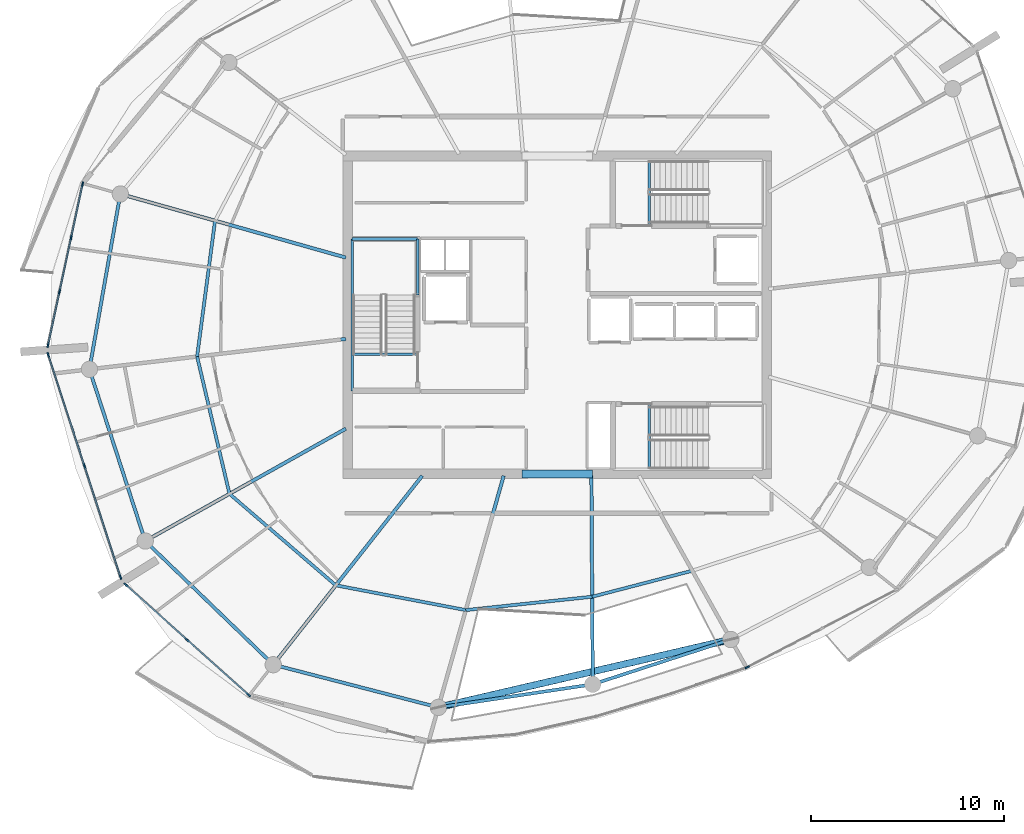
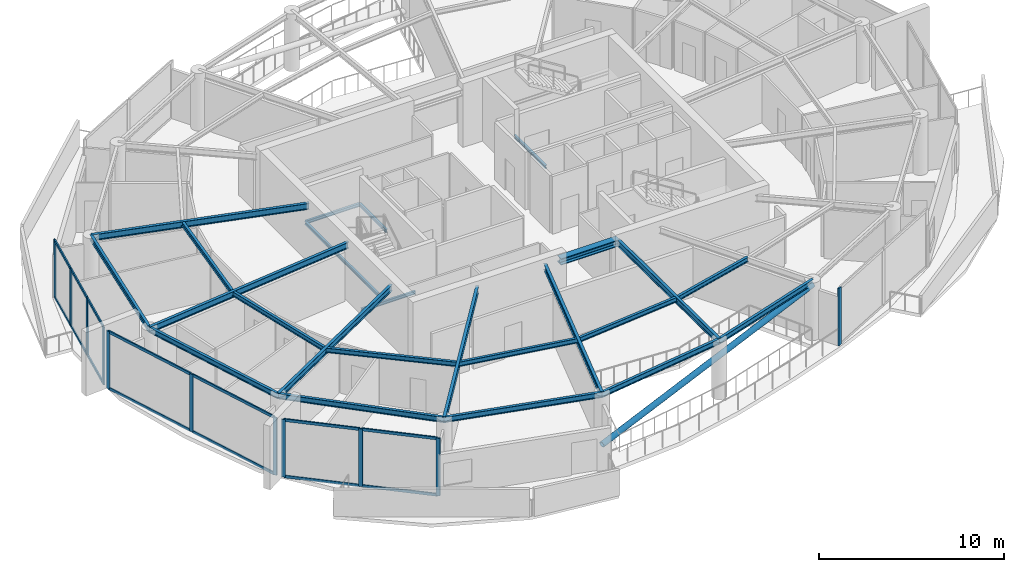
# One storey, part 5 of 21: 26 members, 25 beams, 4 elements without a shape of their own.
"""IFC4 building model written with IfcOpenShell, lengths in metres."""

import ifcopenshell
import ifcopenshell.guid

model = None  # the IFC model being written
_history = None  # IfcOwnerHistory: only IFC2X3 demands one
_inside = {}  # id of a spatial element -> (the spatial element, [elements in it])
_under = {}  # id of a project, library or spatial element -> (it, [spatial elements below it])
_declared = {}  # id of a project -> (the project, [libraries it declares])
_typed = {}  # id of a type object -> (the type object, [elements of that type])
_made_of = {}  # id of a material, layer set ... -> (it, [elements and type objects made of it])


def new_model(schema):
    """Start an empty IFC model of exactly this schema.

    Asked for "IFC4X3", IfcOpenShell would pick the latest addendum, in which some entities
    have other attributes; the version numbers below select the first issue.
    IFC2X3 requires an IfcOwnerHistory on every rooted entity: one is made here for all.
    """
    global model, _history
    if schema == "IFC4X3":
        model = ifcopenshell.file(schema_version=(4, 3, 0, 0))
    else:
        model = ifcopenshell.file(schema=schema)
    _inside.clear()
    _under.clear()
    _declared.clear()
    _typed.clear()
    _made_of.clear()
    _history = None
    if model.schema == "IFC2X3":
        org = make("IfcOrganization", Name="unknown")
        user = make(
            "IfcPersonAndOrganization",
            ThePerson=make("IfcPerson", FamilyName="unknown"),
            TheOrganization=org,
        )
        app = make(
            "IfcApplication",
            ApplicationDeveloper=org,
            Version="unknown",
            ApplicationFullName="unknown",
            ApplicationIdentifier="unknown",
        )
        _history = make(
            "IfcOwnerHistory",
            OwningUser=user,
            OwningApplication=app,
            ChangeAction="ADDED",
            CreationDate=0,
        )
    return model


def make(cls, **values):
    """One entity of the class cls with the attributes given. An attribute that is None is left unset."""
    return model.create_entity(
        cls, **{name: value for name, value in values.items() if value is not None}
    )


def rooted(cls, **values):
    """An entity with a GlobalId (a new one), such as an element, a storey or a relation."""
    return make(cls, GlobalId=ifcopenshell.guid.new(), OwnerHistory=_history, **values)


def si_unit(unit_type, name, prefix=None):
    """IfcSIUnit, for example si_unit("LENGTHUNIT", "METRE", prefix="MILLI")."""
    return make("IfcSIUnit", UnitType=unit_type, Prefix=prefix, Name=name)


def assignment(units):
    """IfcUnitAssignment: the units of a project."""
    return None if units is None else make("IfcUnitAssignment", Units=units)


def point(xyz):
    """IfcCartesianPoint."""
    return None if xyz is None else make("IfcCartesianPoint", Coordinates=xyz)


def direction(xyz):
    """IfcDirection."""
    return None if xyz is None else make("IfcDirection", DirectionRatios=xyz)


def frame(location, z_axis=None, x_axis=None):
    """IfcAxis2Placement3D, a coordinate frame: its origin and axes. An axis left out is left unset."""
    return make(
        "IfcAxis2Placement3D",
        Location=point(location),
        Axis=direction(z_axis),
        RefDirection=direction(x_axis),
    )


def frame_2d(location, x_axis=None):
    """IfcAxis2Placement2D, a coordinate frame in the plane: its origin and x axis."""
    return make(
        "IfcAxis2Placement2D", Location=point(location), RefDirection=direction(x_axis)
    )


def origin():
    """The frame at (0, 0, 0) with its axes left unset."""
    return frame((0.0, 0.0, 0.0))


def origin_2d():
    """The frame at (0, 0) in the plane with its x axis left unset."""
    return frame_2d((0.0, 0.0))


def place(relative_to, where):
    """IfcLocalPlacement: puts the frame where relative to a parent placement (None: the world)."""
    return make(
        "IfcLocalPlacement", PlacementRelTo=relative_to, RelativePlacement=where
    )


def context(
    kind, dimensions, precision=None, world=None, true_north=None, identifier=None
):
    """IfcGeometricRepresentationContext, for example the 3D "Model" context."""
    return make(
        "IfcGeometricRepresentationContext",
        ContextIdentifier=identifier,
        ContextType=kind,
        CoordinateSpaceDimension=dimensions,
        Precision=precision,
        WorldCoordinateSystem=world,
        TrueNorth=true_north,
    )


def subcontext(parent, identifier, kind, view, scale=None):
    """IfcGeometricRepresentationSubContext, for example "Body" below "Model"."""
    return make(
        "IfcGeometricRepresentationSubContext",
        ContextIdentifier=identifier,
        ContextType=kind,
        ParentContext=parent,
        TargetScale=scale,
        TargetView=view,
    )


def project(units=None, contexts=None):
    """IfcProject with its units and contexts."""
    return rooted(
        "IfcProject",
        Name="project",
        RepresentationContexts=contexts,
        UnitsInContext=assignment(units),
    )


def spatial(cls, under=None, at=None, **own):
    """A site, building, storey or space (cls), placed at a placement, below another one or the project."""
    s = rooted(cls, ObjectPlacement=at, **own)
    if under is not None:
        _under.setdefault(under.id(), (under, []))[1].append(s)
    return s


def profile(cls, at=None, kind="AREA", **sizes):
    """A parametric profile (cls). Its sizes go by their IFC names, for example OverallWidth=200.0."""
    return make(cls, ProfileType=kind, Position=at, **sizes)


def rectangle(**sizes):
    """IfcRectangleProfileDef."""
    return profile("IfcRectangleProfileDef", **sizes)


def hollow_circle(**sizes):
    """IfcCircleHollowProfileDef."""
    return profile("IfcCircleHollowProfileDef", **sizes)


def i_section(**sizes):
    """IfcIShapeProfileDef."""
    return profile("IfcIShapeProfileDef", **sizes)


def extrude(swept, where, along, depth):
    """IfcExtrudedAreaSolid: the profile swept, set in the frame where, extruded along a direction by depth."""
    return make(
        "IfcExtrudedAreaSolid",
        SweptArea=swept,
        Position=where,
        ExtrudedDirection=direction(along),
        Depth=depth,
    )


def shape(context_of_items, identifier, shape_type, items):
    """IfcShapeRepresentation: the items that make up one representation, for example the "Body"."""
    return make(
        "IfcShapeRepresentation",
        ContextOfItems=context_of_items,
        RepresentationIdentifier=identifier,
        RepresentationType=shape_type,
        Items=items,
    )


def material(Name=None, Category=None):
    """IfcMaterial."""
    return make("IfcMaterial", Name=Name, Category=Category)


def layer(
    of_material, thickness, ventilated=None, Name=None, Category=None, Priority=None
):
    """IfcMaterialLayer: one layer of a wall or slab, of a material (None: an air gap)."""
    return make(
        "IfcMaterialLayer",
        Material=of_material,
        LayerThickness=thickness,
        IsVentilated=ventilated,
        Name=Name,
        Category=Category,
        Priority=Priority,
    )


def layer_set(layers, Name=None):
    """IfcMaterialLayerSet."""
    return make("IfcMaterialLayerSet", MaterialLayers=layers, LayerSetName=Name)


def material_profile(
    of_material, cross_section, Name=None, Category=None, Priority=None
):
    """IfcMaterialProfile: a cross section and its material."""
    return make(
        "IfcMaterialProfile",
        Name=Name,
        Material=of_material,
        Profile=cross_section,
        Priority=Priority,
        Category=Category,
    )


def profile_set(profiles, Name=None, composite=None):
    """IfcMaterialProfileSet."""
    return make(
        "IfcMaterialProfileSet",
        Name=Name,
        MaterialProfiles=profiles,
        CompositeProfile=composite,
    )


def made_of(thing, what):
    """Note that an element or type object is made of a material, layer set ...; save() writes the relation."""
    if what is not None:
        _made_of.setdefault(what.id(), (what, []))[1].append(thing)
    return thing


def type_object(cls, material=None, **own):
    """A type object (cls), such as IfcWallType, which elements share."""
    return made_of(rooted(cls, **own), material)


def element(
    cls,
    number,
    at=None,
    inside=None,
    cuts=None,
    type_object=None,
    material=None,
    context=None,
    identifier="Body",
    shape_type=None,
    held_by="IfcProductDefinitionShape",
    body=None,
    shapes=None,
    **own,
):
    """One element of the class cls, such as IfcWall. Its Tag is "e" and its number.

    at: its placement. inside: the storey or other place that contains it. cuts: it is an
    opening in that element (IfcRelVoidsElement). A single representation is given by context,
    identifier, shape_type and body (its items); several are given by shapes. held_by: the class
    of the entity that holds the representations. save() writes the other relations.
    """
    e = rooted(cls, Tag="e%d" % number, ObjectPlacement=at, **own)
    if body is not None:
        shapes = [shape(context, identifier, shape_type, body)]
    if shapes is not None:
        e.Representation = make(held_by, Representations=shapes)
    if inside is not None:
        _inside.setdefault(inside.id(), (inside, []))[1].append(e)
    if cuts is not None:
        rooted(
            "IfcRelVoidsElement", RelatingBuildingElement=cuts, RelatedOpeningElement=e
        )
    if type_object is not None:
        _typed.setdefault(type_object.id(), (type_object, []))[1].append(e)
    return made_of(e, material)


def aggregate(whole, parts):
    """IfcRelAggregates: a whole, such as a stair, and the parts it consists of."""
    return rooted("IfcRelAggregates", RelatingObject=whole, RelatedObjects=parts)


def save(model, path):
    """Write the relations noted so far, then the file.

    IfcRelAggregates (storeys below a building ...), IfcRelContainedInSpatialStructure (elements
    in a storey), IfcRelDefinesByType, IfcRelAssociatesMaterial and IfcRelDeclares: one each for
    every whole, place, type object, material and project.
    """
    for whole, parts in _under.values():
        aggregate(whole, parts)
    for where, things in _inside.values():
        rooted(
            "IfcRelContainedInSpatialStructure",
            RelatedElements=things,
            RelatingStructure=where,
        )
    for kind, things in _typed.values():
        rooted("IfcRelDefinesByType", RelatedObjects=things, RelatingType=kind)
    for what, things in _made_of.values():
        rooted("IfcRelAssociatesMaterial", RelatedObjects=things, RelatingMaterial=what)
    for by, libraries in _declared.values():
        rooted("IfcRelDeclares", RelatingContext=by, RelatedDefinitions=libraries)
    model.write(path)


model = new_model("IFC4")

# Units and contexts
model_context = context("Model", 3, precision=1e-05, world=origin(), true_north=direction((0.0, 1.0)))
body_context = subcontext(model_context, "Body", "Model", "MODEL_VIEW")
ifc_project = project(units=[si_unit("LENGTHUNIT", "METRE"), si_unit("AREAUNIT", "SQUARE_METRE"), si_unit("VOLUMEUNIT", "CUBIC_METRE"), si_unit("PLANEANGLEUNIT", "RADIAN"), si_unit("MASSUNIT", "GRAM", prefix="KILO")], contexts=[model_context])

# Site, building, storey
site_placement = place(None, origin())
site = spatial("IfcSite", under=ifc_project, at=site_placement, CompositionType="ELEMENT")
building_placement = place(site_placement, origin())
building = spatial("IfcBuilding", under=site, at=building_placement, Name="Kazma Halo Residences", CompositionType="ELEMENT")
storey_placement = place(building_placement, frame((0.0, 0.0, 338.89990234375)))
storey = spatial("IfcBuildingStorey", under=building, at=storey_placement, Name="L85", CompositionType="ELEMENT", Elevation=338.89990234375)

# Beams
ifc_material_1 = material(Name="Steel S355", Category="steel")
ifc_material_profile_1 = material_profile(ifc_material_1, i_section(OverallWidth=0.408935546875, OverallDepth=0.425048828125, WebThickness=0.03271484375, FlangeThickness=0.052490234375, FilletRadius=0.02001953125, at=origin_2d()), Name="W360x421")
ifc_profile_set_1 = profile_set([ifc_material_profile_1], Name="Steel S355")
beam_type_1 = type_object("IfcBeamType", Name="BM-CORE-W360H", PredefinedType="BEAM", material=ifc_profile_set_1)
beam_1_placement = place(storey_placement, frame((46.60009765625, 33.75, 3.587646484375), z_axis=(1.0, 0.0, 0.0), x_axis=(0.0, 1.0, 0.0)))
element("IfcBeam", 1, at=beam_1_placement, inside=storey, type_object=beam_type_1, Name="L85 core coupling beam S", PredefinedType="BEAM", context=body_context, shape_type="SweptSolid", body=[
    extrude(i_section(OverallWidth=0.408935546875, OverallDepth=0.425048828125, WebThickness=0.03271484375, FlangeThickness=0.052490234375, FilletRadius=0.02001953125, at=origin_2d()), origin(), (0.0, 0.0, 1.0), 3.64990234375),
])
ifc_material_profile_2 = material_profile(ifc_material_1, i_section(OverallWidth=0.177978515625, OverallDepth=0.406982421875, WebThickness=0.0078125, FlangeThickness=0.0126953125, FilletRadius=0.013916015625, at=origin_2d()), Name="W410x60")
ifc_profile_set_2 = profile_set([ifc_material_profile_2], Name="Steel S355")
beam_type_2 = type_object("IfcBeamType", Name="BM-RAD-W410", PredefinedType="BEAM", material=ifc_profile_set_2)
beam_2_placement = place(storey_placement, frame((37.449951171875, 44.975341796875, 3.5966796875), z_axis=(-0.962456130612, 0.2714372794, 0.0), x_axis=(-0.2714372794, -0.962456130612, 0.0)))
element("IfcBeam", 2, at=beam_2_placement, inside=storey, type_object=beam_type_2, Name="L85 radial floor beam 07", PredefinedType="BEAM", context=body_context, shape_type="SweptSolid", body=[
    extrude(i_section(OverallWidth=0.177978515625, OverallDepth=0.406982421875, WebThickness=0.0078125, FlangeThickness=0.0126953125, FilletRadius=0.013916015625, at=origin_2d()), origin(), (0.0, 0.0, 1.0), 12.162109375),
])
beam_3_placement = place(storey_placement, frame((37.449951171875, 40.751220703125, 3.5966796875), z_axis=(-0.993067923032, -0.11754190846, 0.0), x_axis=(0.11754190846, -0.993067923032, 0.0)))
element("IfcBeam", 3, at=beam_3_placement, inside=storey, type_object=beam_type_2, Name="L85 radial floor beam 08", PredefinedType="BEAM", context=body_context, shape_type="SweptSolid", body=[
    extrude(i_section(OverallWidth=0.177978515625, OverallDepth=0.406982421875, WebThickness=0.0078125, FlangeThickness=0.0126953125, FilletRadius=0.013916015625, at=origin_2d()), origin(), (0.0, 0.0, 1.0), 13.4033203125),
])
beam_4_placement = place(storey_placement, frame((37.449951171875, 36.091796875, 3.5966796875), z_axis=(-0.872494504737, -0.4886239241, 0.0), x_axis=(0.4886239241, -0.872494504737, 0.0)))
element("IfcBeam", 4, at=beam_4_placement, inside=storey, type_object=beam_type_2, Name="L85 radial floor beam 09", PredefinedType="BEAM", context=body_context, shape_type="SweptSolid", body=[
    extrude(i_section(OverallWidth=0.177978515625, OverallDepth=0.406982421875, WebThickness=0.0078125, FlangeThickness=0.0126953125, FilletRadius=0.013916015625, at=origin_2d()), origin(), (0.0, 0.0, 1.0), 11.93505859375),
])
beam_5_placement = place(storey_placement, frame((41.41748046875, 33.64990234375, 3.5966796875), z_axis=(-0.619111191023, -0.785303338303, 0.0), x_axis=(0.785303338303, -0.619111191023, 0.0)))
element("IfcBeam", 5, at=beam_5_placement, inside=storey, type_object=beam_type_2, Name="L85 radial floor beam 10", PredefinedType="BEAM", context=body_context, shape_type="SweptSolid", body=[
    extrude(i_section(OverallWidth=0.177978515625, OverallDepth=0.406982421875, WebThickness=0.0078125, FlangeThickness=0.0126953125, FilletRadius=0.013916015625, at=origin_2d()), origin(), (0.0, 0.0, 1.0), 12.4912109375),
])
beam_6_placement = place(storey_placement, frame((45.64501953125, 33.64990234375, 3.5966796875), z_axis=(-0.271426752139, -0.962459099507, 0.0), x_axis=(0.962459099507, -0.271426752139, 0.0)))
element("IfcBeam", 6, at=beam_6_placement, inside=storey, type_object=beam_type_2, Name="L85 radial floor beam 11", PredefinedType="BEAM", context=body_context, shape_type="SweptSolid", body=[
    extrude(i_section(OverallWidth=0.177978515625, OverallDepth=0.406982421875, WebThickness=0.0078125, FlangeThickness=0.0126953125, FilletRadius=0.013916015625, at=origin_2d()), origin(), (0.0, 0.0, 1.0), 12.495361328125),
])
beam_7_placement = place(storey_placement, frame((50.199951171875, 33.64990234375, 3.5966796875), z_axis=(0.006470240609, -0.999979067774, 0.0), x_axis=(0.999979067774, 0.006470240609, 0.0)))
element("IfcBeam", 7, at=beam_7_placement, inside=storey, type_object=beam_type_2, Name="L85 radial floor beam 12", PredefinedType="BEAM", context=body_context, shape_type="SweptSolid", body=[
    extrude(i_section(OverallWidth=0.177978515625, OverallDepth=0.406982421875, WebThickness=0.0078125, FlangeThickness=0.0126953125, FilletRadius=0.013916015625, at=origin_2d()), origin(), (0.0, 0.0, 1.0), 10.829345703125),
])
ifc_material_profile_3 = material_profile(ifc_material_1, i_section(OverallWidth=0.1650390625, OverallDepth=0.31005859375, WebThickness=0.005859375, FlangeThickness=0.009765625, FilletRadius=0.011962890625, at=origin_2d()), Name="W310x38.7")
ifc_profile_set_3 = profile_set([ifc_material_profile_3], Name="Steel S355")
beam_type_3 = type_object("IfcBeamType", Name="BM-SEC-W310B", PredefinedType="JOIST", material=ifc_profile_set_3)
beam_8_placement = place(storey_placement, frame((30.660888671875, 46.89013671875, 3.64501953125), z_axis=(-0.130861995554, -0.991400594169, 0.0), x_axis=(0.991400594169, -0.130861995554, 0.0)))
element("IfcBeam", 8, at=beam_8_placement, inside=storey, type_object=beam_type_3, Name="L85 circumferential floor joist 07", PredefinedType="JOIST", context=body_context, shape_type="SweptSolid", body=[
    extrude(i_section(OverallWidth=0.1650390625, OverallDepth=0.31005859375, WebThickness=0.005859375, FlangeThickness=0.009765625, FilletRadius=0.011962890625, at=origin_2d()), origin(), (0.0, 0.0, 1.0), 7.11376953125),
])
beam_9_placement = place(storey_placement, frame((29.72998046875, 39.837646484375, 3.64501953125), z_axis=(0.229446221817, -0.973321340203, 0.0), x_axis=(0.973321340203, 0.229446221817, 0.0)))
element("IfcBeam", 9, at=beam_9_placement, inside=storey, type_object=beam_type_3, Name="L85 circumferential floor joist 08", PredefinedType="JOIST", context=body_context, shape_type="SweptSolid", body=[
    extrude(i_section(OverallWidth=0.1650390625, OverallDepth=0.31005859375, WebThickness=0.005859375, FlangeThickness=0.009765625, FilletRadius=0.011962890625, at=origin_2d()), origin(), (0.0, 0.0, 1.0), 7.32373046875),
])
beam_10_placement = place(storey_placement, frame((31.410400390625, 32.709228515625, 3.64501953125), z_axis=(0.758178898759, -0.652046591492, 0.0), x_axis=(0.652046591492, 0.758178898759, 0.0)))
element("IfcBeam", 10, at=beam_10_placement, inside=storey, type_object=beam_type_3, Name="L85 circumferential floor joist 09", PredefinedType="JOIST", context=body_context, shape_type="SweptSolid", body=[
    extrude(i_section(OverallWidth=0.1650390625, OverallDepth=0.31005859375, WebThickness=0.005859375, FlangeThickness=0.009765625, FilletRadius=0.011962890625, at=origin_2d()), origin(), (0.0, 0.0, 1.0), 7.282958984375),
])
beam_11_placement = place(storey_placement, frame((36.93212890625, 27.96044921875, 3.64501953125), z_axis=(0.982319268566, -0.187213393228, 0.0), x_axis=(0.187213393228, 0.982319268566, 0.0)))
element("IfcBeam", 11, at=beam_11_placement, inside=storey, type_object=beam_type_3, Name="L85 circumferential floor joist 10", PredefinedType="JOIST", context=body_context, shape_type="SweptSolid", body=[
    extrude(i_section(OverallWidth=0.1650390625, OverallDepth=0.31005859375, WebThickness=0.005859375, FlangeThickness=0.009765625, FilletRadius=0.011962890625, at=origin_2d()), origin(), (0.0, 0.0, 1.0), 6.8671875),
])
beam_12_placement = place(storey_placement, frame((43.677978515625, 26.6748046875, 3.64501953125), z_axis=(0.994453231248, 0.105179707457, 0.0), x_axis=(-0.105179707457, 0.994453231248, 0.0)))
element("IfcBeam", 12, at=beam_12_placement, inside=storey, type_object=beam_type_3, Name="L85 circumferential floor joist 11", PredefinedType="JOIST", context=body_context, shape_type="SweptSolid", body=[
    extrude(i_section(OverallWidth=0.1650390625, OverallDepth=0.31005859375, WebThickness=0.005859375, FlangeThickness=0.009765625, FilletRadius=0.011962890625, at=origin_2d()), origin(), (0.0, 0.0, 1.0), 6.59912109375),
])
beam_13_placement = place(storey_placement, frame((50.240478515625, 27.368896484375, 3.64501953125), z_axis=(0.967848634623, 0.251533338661, 0.0), x_axis=(-0.251533338661, 0.967848634623, 0.0)))
element("IfcBeam", 13, at=beam_13_placement, inside=storey, type_object=beam_type_3, Name="L85 circumferential floor joist 12", PredefinedType="JOIST", context=body_context, shape_type="SweptSolid", body=[
    extrude(i_section(OverallWidth=0.1650390625, OverallDepth=0.31005859375, WebThickness=0.005859375, FlangeThickness=0.009765625, FilletRadius=0.011962890625, at=origin_2d()), origin(), (0.0, 0.0, 1.0), 5.369384765625),
])
ifc_material_profile_4 = material_profile(ifc_material_1, i_section(OverallWidth=0.1708984375, OverallDepth=0.35498046875, WebThickness=0.007080078125, FlangeThickness=0.01171875, FilletRadius=0.013916015625, at=origin_2d()), Name="W360x51")
ifc_profile_set_4 = profile_set([ifc_material_profile_4], Name="Steel S355")
beam_type_4 = type_object("IfcBeamType", Name="BM-SPN-W360", PredefinedType="BEAM", material=ifc_profile_set_4)
beam_14_placement = place(storey_placement, frame((25.744384765625, 48.276611328125, 3.62255859375), z_axis=(-0.173649692956, -0.984807485825, 0.0), x_axis=(0.984807485825, -0.173649692956, 0.0)))
element("IfcBeam", 14, at=beam_14_placement, inside=storey, type_object=beam_type_4, Name="L85 perimeter ring beam 07", PredefinedType="BEAM", context=body_context, shape_type="SweptSolid", body=[
    extrude(i_section(OverallWidth=0.1708984375, OverallDepth=0.35498046875, WebThickness=0.007080078125, FlangeThickness=0.01171875, FilletRadius=0.013916015625, at=origin_2d()), origin(), (0.0, 0.0, 1.0), 9.2412109375),
])
beam_15_placement = place(storey_placement, frame((24.1396484375, 39.17578125, 3.62255859375), z_axis=(0.309023062674, -0.951054544564, 0.0), x_axis=(0.951054544564, 0.309023062674, 0.0)))
element("IfcBeam", 15, at=beam_15_placement, inside=storey, type_object=beam_type_4, Name="L85 perimeter ring beam 08", PredefinedType="BEAM", context=body_context, shape_type="SweptSolid", body=[
    extrude(i_section(OverallWidth=0.1708984375, OverallDepth=0.35498046875, WebThickness=0.007080078125, FlangeThickness=0.01171875, FilletRadius=0.013916015625, at=origin_2d()), origin(), (0.0, 0.0, 1.0), 9.37451171875),
])
beam_16_placement = place(storey_placement, frame((27.03662109375, 30.260009765625, 3.62255859375), z_axis=(0.71933681628, -0.694661460529, 0.0), x_axis=(0.694661460529, 0.71933681628, 0.0)))
element("IfcBeam", 16, at=beam_16_placement, inside=storey, type_object=beam_type_4, Name="L85 perimeter ring beam 09", PredefinedType="BEAM", context=body_context, shape_type="SweptSolid", body=[
    extrude(i_section(OverallWidth=0.1708984375, OverallDepth=0.35498046875, WebThickness=0.007080078125, FlangeThickness=0.01171875, FilletRadius=0.013916015625, at=origin_2d()), origin(), (0.0, 0.0, 1.0), 9.2412109375),
])
beam_17_placement = place(storey_placement, frame((33.68408203125, 23.840576171875, 3.62255859375), z_axis=(0.968124082793, -0.250471076805, 0.0), x_axis=(0.250471076805, 0.968124082793, 0.0)))
element("IfcBeam", 17, at=beam_17_placement, inside=storey, type_object=beam_type_4, Name="L85 perimeter ring beam 10", PredefinedType="BEAM", context=body_context, shape_type="SweptSolid", body=[
    extrude(i_section(OverallWidth=0.1708984375, OverallDepth=0.35498046875, WebThickness=0.007080078125, FlangeThickness=0.01171875, FilletRadius=0.013916015625, at=origin_2d()), origin(), (0.0, 0.0, 1.0), 8.8515625),
])
beam_18_placement = place(storey_placement, frame((42.25341796875, 21.62353515625, 3.62255859375), z_axis=(0.989030710595, 0.147710031817, 0.0), x_axis=(-0.147710031817, 0.989030710595, 0.0)))
element("IfcBeam", 18, at=beam_18_placement, inside=storey, type_object=beam_type_4, Name="L85 perimeter ring beam 11", PredefinedType="BEAM", context=body_context, shape_type="SweptSolid", body=[
    extrude(i_section(OverallWidth=0.1708984375, OverallDepth=0.35498046875, WebThickness=0.007080078125, FlangeThickness=0.01171875, FilletRadius=0.013916015625, at=origin_2d()), origin(), (0.0, 0.0, 1.0), 8.10546875),
])
beam_19_placement = place(storey_placement, frame((50.27001953125, 22.82080078125, 3.62255859375), z_axis=(0.951056684666, 0.309016476183, 0.0), x_axis=(-0.309016476183, 0.951056684666, 0.0)))
element("IfcBeam", 19, at=beam_19_placement, inside=storey, type_object=beam_type_4, Name="L85 perimeter ring beam 12", PredefinedType="BEAM", context=body_context, shape_type="SweptSolid", body=[
    extrude(i_section(OverallWidth=0.1708984375, OverallDepth=0.35498046875, WebThickness=0.007080078125, FlangeThickness=0.01171875, FilletRadius=0.013916015625, at=origin_2d()), origin(), (0.0, 0.0, 1.0), 7.53564453125),
])
ifc_material_profile_5 = material_profile(ifc_material_1, i_section(OverallWidth=0.133056640625, OverallDepth=0.20703125, WebThickness=0.005859375, FlangeThickness=0.00830078125, FilletRadius=0.010009765625, at=origin_2d()), Name="W200x26.6")
ifc_profile_set_5 = profile_set([ifc_material_profile_5], Name="Steel S355")
beam_type_5 = type_object("IfcBeamType", Name="BM-TRIM-W200", PredefinedType="BEAM", material=ifc_profile_set_5)
for number, where, z_axis, x_axis, name in (
    (20, (37.800048828125, 39.949951171875, -0.369873046875), (1.0, 0.0, 0.0), (0.0, 1.0, 0.0), "L85 ST-01 floor landing support beam"),
    (21, (53.199951171875, 46.6201171875, -0.369873046875), (0.0, 1.0, 0.0), (-1.0, 0.0, 0.0), "L85 ST-02 floor landing support beam"),
    (22, (53.199951171875, 34.0, -0.369873046875), (0.0, 1.0, 0.0), (-1.0, 0.0, 0.0), "L85 ST-03 floor landing support beam"),
):
    element("IfcBeam", number, at=place(storey_placement, frame(where, z_axis=z_axis, x_axis=x_axis)), inside=storey, type_object=beam_type_5, Name=name, PredefinedType="BEAM", context=body_context, shape_type="SweptSolid", body=[
        extrude(i_section(OverallWidth=0.133056640625, OverallDepth=0.20703125, WebThickness=0.005859375, FlangeThickness=0.00830078125, FilletRadius=0.010009765625, at=origin_2d()), origin(), (0.0, 0.0, 1.0), 3.3798828125),
    ])
beam_20_placement = place(storey_placement, frame((37.780029296875, 38.06005859375, 1.795166015625), z_axis=(0.0, 1.0, 0.0), x_axis=(-1.0, 0.0, 0.0)))
element("IfcBeam", 23, at=beam_20_placement, inside=storey, type_object=beam_type_5, Name="L85 ST-01 landing west wall ledger", PredefinedType="BEAM", context=body_context, shape_type="SweptSolid", body=[
    extrude(i_section(OverallWidth=0.133056640625, OverallDepth=0.20703125, WebThickness=0.005859375, FlangeThickness=0.00830078125, FilletRadius=0.010009765625, at=origin_2d()), origin(), (0.0, 0.0, 1.0), 7.8798828125),
])
beam_21_placement = place(storey_placement, frame((41.179931640625, 43.030029296875, 1.795166015625), z_axis=(0.0, 1.0, 0.0), x_axis=(-1.0, 0.0, 0.0)))
element("IfcBeam", 24, at=beam_21_placement, inside=storey, type_object=beam_type_5, Name="L85 ST-01 landing east wall ledger", PredefinedType="BEAM", context=body_context, shape_type="SweptSolid", body=[
    extrude(i_section(OverallWidth=0.133056640625, OverallDepth=0.20703125, WebThickness=0.005859375, FlangeThickness=0.00830078125, FilletRadius=0.010009765625, at=origin_2d()), origin(), (0.0, 0.0, 1.0), 2.909912109375),
])
beam_22_placement = place(storey_placement, frame((37.780029296875, 45.93994140625, 1.795166015625), z_axis=(1.0, 0.0, 0.0), x_axis=(0.0, 1.0, 0.0)))
element("IfcBeam", 25, at=beam_22_placement, inside=storey, type_object=beam_type_5, Name="L85 ST-01 landing end wall ledger", PredefinedType="BEAM", context=body_context, shape_type="SweptSolid", body=[
    extrude(i_section(OverallWidth=0.133056640625, OverallDepth=0.20703125, WebThickness=0.005859375, FlangeThickness=0.00830078125, FilletRadius=0.010009765625, at=origin_2d()), origin(), (0.0, 0.0, 1.0), 3.39990234375),
])

# Curtain wall, members
ifc_material_2 = material(Name="Aluminium AW-6063 T6 and Triple-Silver Low-E Glass", Category="aluminium")
ifc_layer = layer(ifc_material_2, 0.239990234375)
ifc_layer_set = layer_set([ifc_layer], Name="Aluminium AW-6063 T6 and Triple-Silver Low-E Glass")
curtain_wall_type = type_object("IfcCurtainWallType", Name="CW-SYS-6", PredefinedType="NOTDEFINED", material=ifc_layer_set)
curtain_wall_1_placement = place(storey_placement, origin())
curtain_wall_1 = element("IfcCurtainWall", 26, at=curtain_wall_1_placement, inside=storey, type_object=curtain_wall_type, Name="L85 unitised curtain wall B07", PredefinedType="NOTDEFINED")
ifc_material_3 = material(Name="Aluminium AW-6063 T6", Category="aluminium")
ifc_material_profile_6 = material_profile(ifc_material_3, rectangle(XDim=0.080078125, YDim=0.239990234375, at=origin_2d()), Name="CWM-80x240")
ifc_profile_set_6 = profile_set([ifc_material_profile_6], Name="Aluminium AW-6063 T6")
member_type_1 = type_object("IfcMemberType", Name="CW-SYS-6-MUL", PredefinedType="MULLION", material=ifc_profile_set_6)
member_1_placement = place(storey_placement, frame((23.7841796875, 48.7880859375, 0.0), z_axis=(0.0, 0.0, 1.0), x_axis=(0.977760865363, -0.209722888986, 0.0)))
member_1 = element("IfcMember", 27, at=member_1_placement, type_object=member_type_1, Name="CWS-6 mullion 1", PredefinedType="MULLION", context=body_context, shape_type="SweptSolid", body=[
    extrude(rectangle(XDim=0.080078125, YDim=0.239990234375, at=origin_2d()), origin(), (0.0, 0.0, 1.0), 3.800048828125),
])
member_2_placement = place(storey_placement, frame((23.18896484375, 46.013427734375, 0.0), z_axis=(0.0, 0.0, 1.0), x_axis=(0.977760865363, -0.209722888986, 0.0)))
member_2 = element("IfcMember", 28, at=member_2_placement, type_object=member_type_1, Name="CWS-6 mullion 2", PredefinedType="MULLION", context=body_context, shape_type="SweptSolid", body=[
    extrude(rectangle(XDim=0.080078125, YDim=0.239990234375, at=origin_2d()), origin(), (0.0, 0.0, 1.0), 3.800048828125),
])
member_3_placement = place(storey_placement, frame((22.58544921875, 43.19970703125, 0.0), z_axis=(0.0, 0.0, 1.0), x_axis=(0.977760865363, -0.209722888986, 0.0)))
member_3 = element("IfcMember", 29, at=member_3_placement, type_object=member_type_1, Name="CWS-6 mullion 3", PredefinedType="MULLION", context=body_context, shape_type="SweptSolid", body=[
    extrude(rectangle(XDim=0.080078125, YDim=0.239990234375, at=origin_2d()), origin(), (0.0, 0.0, 1.0), 3.800048828125),
])
member_4_placement = place(storey_placement, frame((21.990234375, 40.425048828125, 0.0), z_axis=(0.0, 0.0, 1.0), x_axis=(0.977760865363, -0.209722888986, 0.0)))
member_4 = element("IfcMember", 30, at=member_4_placement, type_object=member_type_1, Name="CWS-6 mullion 4", PredefinedType="MULLION", context=body_context, shape_type="SweptSolid", body=[
    extrude(rectangle(XDim=0.080078125, YDim=0.239990234375, at=origin_2d()), origin(), (0.0, 0.0, 1.0), 3.800048828125),
])

curtain_wall_2_placement = place(storey_placement, origin())
curtain_wall_2 = element("IfcCurtainWall", 31, at=curtain_wall_2_placement, inside=storey, type_object=curtain_wall_type, Name="L85 unitised curtain wall B08", PredefinedType="NOTDEFINED")
member_5_placement = place(storey_placement, frame((22.0009765625, 39.937744140625, 0.0), z_axis=(0.0, 0.0, 1.0), x_axis=(0.951055886462, 0.309018932797, 0.0)))
member_5 = element("IfcMember", 32, at=member_5_placement, type_object=member_type_1, Name="CWS-6 mullion 1", PredefinedType="MULLION", context=body_context, shape_type="SweptSolid", body=[
    extrude(rectangle(XDim=0.080078125, YDim=0.239990234375, at=origin_2d()), origin(), (0.0, 0.0, 1.0), 3.800048828125),
])
member_6_placement = place(storey_placement, frame((23.87744140625, 34.162109375, 0.0), z_axis=(0.0, 0.0, 1.0), x_axis=(0.951055886462, 0.309018932797, 0.0)))
member_6 = element("IfcMember", 33, at=member_6_placement, type_object=member_type_1, Name="CWS-6 mullion 2", PredefinedType="MULLION", context=body_context, shape_type="SweptSolid", body=[
    extrude(rectangle(XDim=0.080078125, YDim=0.239990234375, at=origin_2d()), origin(), (0.0, 0.0, 1.0), 3.800048828125),
])
member_7_placement = place(storey_placement, frame((25.754150390625, 28.38671875, 0.0), z_axis=(0.0, 0.0, 1.0), x_axis=(0.951055886462, 0.309018932797, 0.0)))
member_7 = element("IfcMember", 34, at=member_7_placement, type_object=member_type_1, Name="CWS-6 mullion 3", PredefinedType="MULLION", context=body_context, shape_type="SweptSolid", body=[
    extrude(rectangle(XDim=0.080078125, YDim=0.239990234375, at=origin_2d()), origin(), (0.0, 0.0, 1.0), 3.800048828125),
])

curtain_wall_3_placement = place(storey_placement, origin())
curtain_wall_3 = element("IfcCurtainWall", 35, at=curtain_wall_3_placement, inside=storey, type_object=curtain_wall_type, Name="L85 unitised curtain wall B09", PredefinedType="NOTDEFINED")
member_8_placement = place(storey_placement, frame((26.031982421875, 27.986083984375, 0.0), z_axis=(0.0, 0.0, 1.0), x_axis=(0.667757559118, 0.744378829791, 0.0)))
member_8 = element("IfcMember", 36, at=member_8_placement, type_object=member_type_1, Name="CWS-6 mullion 1", PredefinedType="MULLION", context=body_context, shape_type="SweptSolid", body=[
    extrude(rectangle(XDim=0.080078125, YDim=0.239990234375, at=origin_2d()), origin(), (0.0, 0.0, 1.0), 3.800048828125),
])
member_9_placement = place(storey_placement, frame((29.21533203125, 25.13037109375, 0.0), z_axis=(0.0, 0.0, 1.0), x_axis=(0.667757559118, 0.744378829791, 0.0)))
member_9 = element("IfcMember", 37, at=member_9_placement, type_object=member_type_1, Name="CWS-6 mullion 2", PredefinedType="MULLION", context=body_context, shape_type="SweptSolid", body=[
    extrude(rectangle(XDim=0.080078125, YDim=0.239990234375, at=origin_2d()), origin(), (0.0, 0.0, 1.0), 3.800048828125),
])
member_10_placement = place(storey_placement, frame((32.39892578125, 22.2744140625, 0.0), z_axis=(0.0, 0.0, 1.0), x_axis=(0.667757559118, 0.744378829791, 0.0)))
member_10 = element("IfcMember", 38, at=member_10_placement, type_object=member_type_1, Name="CWS-6 mullion 3", PredefinedType="MULLION", context=body_context, shape_type="SweptSolid", body=[
    extrude(rectangle(XDim=0.080078125, YDim=0.239990234375, at=origin_2d()), origin(), (0.0, 0.0, 1.0), 3.800048828125),
])

# Curtain wall, member
curtain_wall_4_placement = place(storey_placement, origin())
curtain_wall_4 = element("IfcCurtainWall", 39, at=curtain_wall_4_placement, inside=storey, type_object=curtain_wall_type, Name="L85 unitised curtain wall B13", PredefinedType="NOTDEFINED")
member_11_placement = place(storey_placement, frame((58.290283203125, 23.70703125, 0.0), z_axis=(0.0, 0.0, 1.0), x_axis=(-0.460796020861, 0.887506071618, 0.0)))
member_11 = element("IfcMember", 40, at=member_11_placement, type_object=member_type_1, Name="CWS-6 mullion 1", PredefinedType="MULLION", context=body_context, shape_type="SweptSolid", body=[
    extrude(rectangle(XDim=0.080078125, YDim=0.239990234375, at=origin_2d()), origin(), (0.0, 0.0, 1.0), 3.800048828125),
])
aggregate(curtain_wall_4, [member_11])

# Member
ifc_material_profile_7 = material_profile(ifc_material_3, rectangle(XDim=0.080078125, YDim=0.179931640625, at=origin_2d()), Name="CWT-80x180")
ifc_profile_set_7 = profile_set([ifc_material_profile_7], Name="Aluminium AW-6063 T6")
member_type_2 = type_object("IfcMemberType", Name="CW-SYS-6-TRN", PredefinedType="USERDEFINED", material=ifc_profile_set_7)
member_12_placement = place(storey_placement, frame((23.775634765625, 48.7490234375, 0.0400390625), z_axis=(-0.209716499477, -0.977762235846, 0.0), x_axis=(0.977762235846, -0.209716499477, 0.0)))
member_12 = element("IfcMember", 41, at=member_12_placement, type_object=member_type_2, Name="CWS-6 transom 1.1", ObjectType="TRANSOM", PredefinedType="USERDEFINED", context=body_context, shape_type="SweptSolid", body=[
    extrude(rectangle(XDim=0.080078125, YDim=0.179931640625, at=origin_2d()), origin(), (0.0, 0.0, 1.0), 2.7578125),
])

member_13_placement = place(storey_placement, frame((23.775634765625, 48.7490234375, 3.760009765625), z_axis=(-0.209716499477, -0.977762235846, 0.0), x_axis=(0.977762235846, -0.209716499477, 0.0)))
member_13 = element("IfcMember", 42, at=member_13_placement, type_object=member_type_2, Name="CWS-6 transom 1.2", ObjectType="TRANSOM", PredefinedType="USERDEFINED", context=body_context, shape_type="SweptSolid", body=[
    extrude(rectangle(XDim=0.080078125, YDim=0.179931640625, at=origin_2d()), origin(), (0.0, 0.0, 1.0), 2.7578125),
])

member_14_placement = place(storey_placement, frame((23.1806640625, 45.974365234375, 0.0400390625), z_axis=(-0.209773410621, -0.977750027459, 0.0), x_axis=(0.977750027459, -0.209773410621, 0.0)))
member_14 = element("IfcMember", 43, at=member_14_placement, type_object=member_type_2, Name="CWS-6 transom 2.1", ObjectType="TRANSOM", PredefinedType="USERDEFINED", context=body_context, shape_type="SweptSolid", body=[
    extrude(rectangle(XDim=0.080078125, YDim=0.179931640625, at=origin_2d()), origin(), (0.0, 0.0, 1.0), 2.7978515625),
])

member_15_placement = place(storey_placement, frame((23.1806640625, 45.974365234375, 3.760009765625), z_axis=(-0.209773410621, -0.977750027459, 0.0), x_axis=(0.977750027459, -0.209773410621, 0.0)))
member_15 = element("IfcMember", 44, at=member_15_placement, type_object=member_type_2, Name="CWS-6 transom 2.2", ObjectType="TRANSOM", PredefinedType="USERDEFINED", context=body_context, shape_type="SweptSolid", body=[
    extrude(rectangle(XDim=0.080078125, YDim=0.179931640625, at=origin_2d()), origin(), (0.0, 0.0, 1.0), 2.7978515625),
])

member_16_placement = place(storey_placement, frame((22.5771484375, 43.16064453125, 0.0400390625), z_axis=(-0.209716499477, -0.977762235846, 0.0), x_axis=(0.977762235846, -0.209716499477, 0.0)))
member_16 = element("IfcMember", 45, at=member_16_placement, type_object=member_type_2, Name="CWS-6 transom 3.1", ObjectType="TRANSOM", PredefinedType="USERDEFINED", context=body_context, shape_type="SweptSolid", body=[
    extrude(rectangle(XDim=0.080078125, YDim=0.179931640625, at=origin_2d()), origin(), (0.0, 0.0, 1.0), 2.7578125),
])

member_17_placement = place(storey_placement, frame((22.5771484375, 43.16064453125, 3.760009765625), z_axis=(-0.209716499477, -0.977762235846, 0.0), x_axis=(0.977762235846, -0.209716499477, 0.0)))
member_17 = element("IfcMember", 46, at=member_17_placement, type_object=member_type_2, Name="CWS-6 transom 3.2", ObjectType="TRANSOM", PredefinedType="USERDEFINED", context=body_context, shape_type="SweptSolid", body=[
    extrude(rectangle(XDim=0.080078125, YDim=0.179931640625, at=origin_2d()), origin(), (0.0, 0.0, 1.0), 2.7578125),
])

aggregate(curtain_wall_1, [member_1, member_2, member_3, member_4, member_12, member_13, member_14, member_15, member_16, member_17])

member_18_placement = place(storey_placement, frame((22.013427734375, 39.899658203125, 0.0400390625), z_axis=(0.309007770724, -0.951059513191, 0.0), x_axis=(0.951059513191, 0.309007770724, 0.0)))
member_18 = element("IfcMember", 47, at=member_18_placement, type_object=member_type_2, Name="CWS-6 transom 1.1", ObjectType="TRANSOM", PredefinedType="USERDEFINED", context=body_context, shape_type="SweptSolid", body=[
    extrude(rectangle(XDim=0.080078125, YDim=0.179931640625, at=origin_2d()), origin(), (0.0, 0.0, 1.0), 5.99267578125),
])

member_19_placement = place(storey_placement, frame((22.013427734375, 39.899658203125, 3.760009765625), z_axis=(0.309007770724, -0.951059513191, 0.0), x_axis=(0.951059513191, 0.309007770724, 0.0)))
member_19 = element("IfcMember", 48, at=member_19_placement, type_object=member_type_2, Name="CWS-6 transom 1.2", ObjectType="TRANSOM", PredefinedType="USERDEFINED", context=body_context, shape_type="SweptSolid", body=[
    extrude(rectangle(XDim=0.080078125, YDim=0.179931640625, at=origin_2d()), origin(), (0.0, 0.0, 1.0), 5.99267578125),
])

member_20_placement = place(storey_placement, frame((23.889892578125, 34.1240234375, 0.0400390625), z_axis=(0.309019743831, -0.951055622938, 0.0), x_axis=(0.951055622938, 0.309019743831, 0.0)))
member_20 = element("IfcMember", 49, at=member_20_placement, type_object=member_type_2, Name="CWS-6 transom 2.1", ObjectType="TRANSOM", PredefinedType="USERDEFINED", context=body_context, shape_type="SweptSolid", body=[
    extrude(rectangle(XDim=0.080078125, YDim=0.179931640625, at=origin_2d()), origin(), (0.0, 0.0, 1.0), 5.992431640625),
])

member_21_placement = place(storey_placement, frame((23.889892578125, 34.1240234375, 3.760009765625), z_axis=(0.309019743831, -0.951055622938, 0.0), x_axis=(0.951055622938, 0.309019743831, 0.0)))
member_21 = element("IfcMember", 50, at=member_21_placement, type_object=member_type_2, Name="CWS-6 transom 2.2", ObjectType="TRANSOM", PredefinedType="USERDEFINED", context=body_context, shape_type="SweptSolid", body=[
    extrude(rectangle(XDim=0.080078125, YDim=0.179931640625, at=origin_2d()), origin(), (0.0, 0.0, 1.0), 5.992431640625),
])

aggregate(curtain_wall_2, [member_5, member_6, member_7, member_18, member_19, member_20, member_21])

member_22_placement = place(storey_placement, frame((26.061767578125, 27.95947265625, 0.0400390625), z_axis=(0.744349048391, -0.66779075627, 0.0), x_axis=(0.66779075627, 0.744349048391, 0.0)))
member_22 = element("IfcMember", 51, at=member_22_placement, type_object=member_type_2, Name="CWS-6 transom 1.1", ObjectType="TRANSOM", PredefinedType="USERDEFINED", context=body_context, shape_type="SweptSolid", body=[
    extrude(rectangle(XDim=0.080078125, YDim=0.179931640625, at=origin_2d()), origin(), (0.0, 0.0, 1.0), 4.19677734375),
])

member_23_placement = place(storey_placement, frame((26.061767578125, 27.95947265625, 3.760009765625), z_axis=(0.744349048391, -0.66779075627, 0.0), x_axis=(0.66779075627, 0.744349048391, 0.0)))
member_23 = element("IfcMember", 52, at=member_23_placement, type_object=member_type_2, Name="CWS-6 transom 1.2", ObjectType="TRANSOM", PredefinedType="USERDEFINED", context=body_context, shape_type="SweptSolid", body=[
    extrude(rectangle(XDim=0.080078125, YDim=0.179931640625, at=origin_2d()), origin(), (0.0, 0.0, 1.0), 4.19677734375),
])

member_24_placement = place(storey_placement, frame((29.2451171875, 25.103515625, 0.0400390625), z_axis=(0.744403905463, -0.667729605103, 0.0), x_axis=(0.667729605103, 0.744403905463, 0.0)))
member_24 = element("IfcMember", 53, at=member_24_placement, type_object=member_type_2, Name="CWS-6 transom 2.1", ObjectType="TRANSOM", PredefinedType="USERDEFINED", context=body_context, shape_type="SweptSolid", body=[
    extrude(rectangle(XDim=0.080078125, YDim=0.179931640625, at=origin_2d()), origin(), (0.0, 0.0, 1.0), 4.19677734375),
])

member_25_placement = place(storey_placement, frame((29.2451171875, 25.103515625, 3.760009765625), z_axis=(0.744403905463, -0.667729605103, 0.0), x_axis=(0.667729605103, 0.744403905463, 0.0)))
member_25 = element("IfcMember", 54, at=member_25_placement, type_object=member_type_2, Name="CWS-6 transom 2.2", ObjectType="TRANSOM", PredefinedType="USERDEFINED", context=body_context, shape_type="SweptSolid", body=[
    extrude(rectangle(XDim=0.080078125, YDim=0.179931640625, at=origin_2d()), origin(), (0.0, 0.0, 1.0), 4.19677734375),
])

aggregate(curtain_wall_3, [member_8, member_9, member_10, member_22, member_23, member_24, member_25])

ifc_material_profile_8 = material_profile(ifc_material_1, hollow_circle(Radius=0.177734375, WallThickness=0.012451171875, at=origin_2d()), Name="CHS355.6x12.5")
ifc_profile_set_8 = profile_set([ifc_material_profile_8], Name="Steel S355")
member_type_3 = type_object("IfcMemberType", Name="MBR-PORT-CHS355", PredefinedType="BRACE", material=ifc_profile_set_8)
member_26_placement = place(storey_placement, frame((42.25341796875, 21.62353515625, 0.300048828125), z_axis=(0.95513346443, 0.221801184951, 0.196276079745), x_axis=(-0.226201096399, 0.974080624994, 0.0)))
element("IfcMember", 55, at=member_26_placement, inside=storey, type_object=member_type_3, Name="L85 upper wind-portal brace SSE", PredefinedType="BRACE", context=body_context, shape_type="SweptSolid", body=[
    extrude(hollow_circle(Radius=0.177734375, WallThickness=0.012451171875, at=origin_2d()), origin(), (0.0, 0.0, 1.0), 15.896484375),
])

save(model, "model.ifc")
